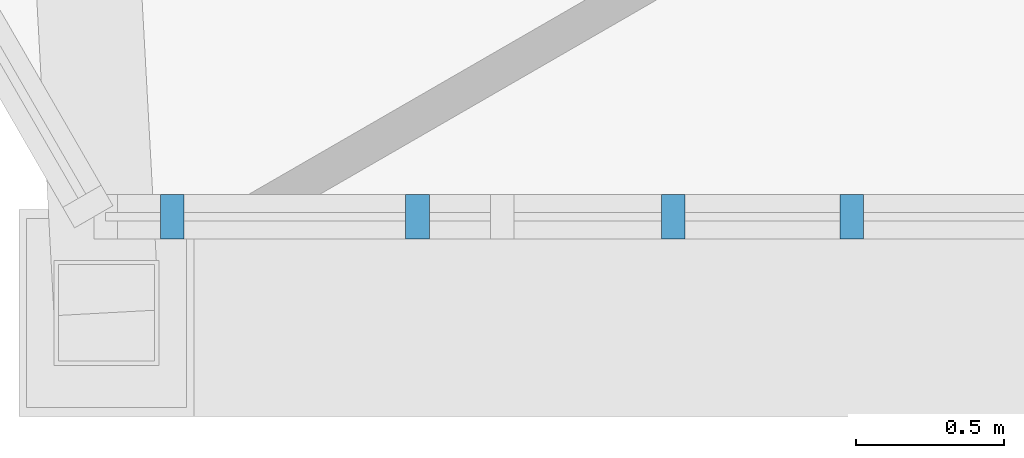
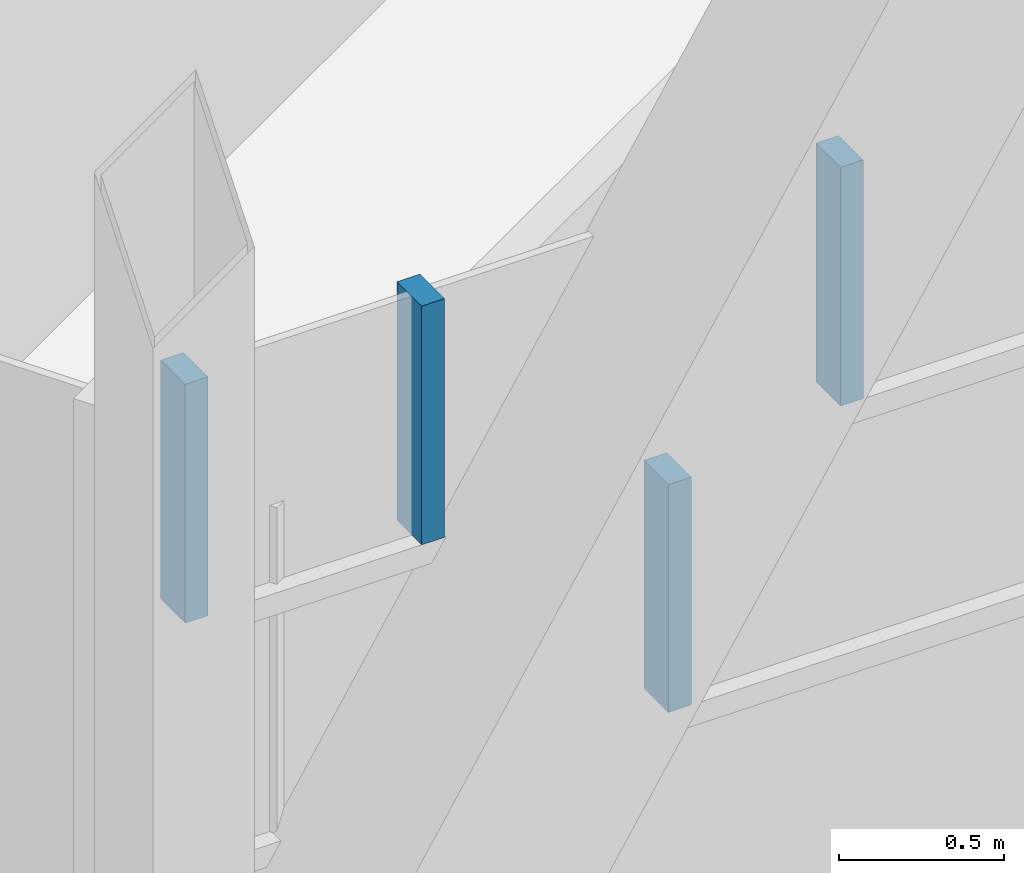
# One storey, part 12 of 25: 4 members, 1 element without a shape of its own.
"""IFC4 building model written with IfcOpenShell, lengths in metres."""

from ifc_helpers import new_model, si_unit, direction, frame, origin, origin_2d, place, context, subcontext, project, spatial, rectangle, extrude, material, layer, layer_set, material_profile, profile_set, type_object, element, aggregate, save


model = new_model("IFC4")

# Units and contexts
model_context = context("Model", 3, precision=1e-05, world=origin(), true_north=direction((0.0, 1.0)))
body_context = subcontext(model_context, "Body", "Model", "MODEL_VIEW")
ifc_project = project(units=[si_unit("LENGTHUNIT", "METRE"), si_unit("AREAUNIT", "SQUARE_METRE"), si_unit("VOLUMEUNIT", "CUBIC_METRE"), si_unit("PLANEANGLEUNIT", "RADIAN"), si_unit("MASSUNIT", "GRAM", prefix="KILO")], contexts=[model_context])

# Site, building, storey
site_placement = place(None, origin())
site = spatial("IfcSite", under=ifc_project, at=site_placement, CompositionType="ELEMENT")
building_placement = place(site_placement, origin())
building = spatial("IfcBuilding", under=site, at=building_placement, Name="Firuza Gate Tower and Library", CompositionType="ELEMENT")
storey_placement = place(building_placement, frame((0.0, 0.0, 270.60009765625)))
storey = spatial("IfcBuildingStorey", under=building, at=storey_placement, Name="L64", CompositionType="ELEMENT", Elevation=270.60009765625)

# Curtain wall, members
ifc_material_1 = material(Name="Aluminium 6063-T6", Category="aluminium")
ifc_layer = layer(ifc_material_1, 0.14990234375)
ifc_layer_set = layer_set([ifc_layer], Name="Unitised curtain wall, residences")
curtain_wall_type = type_object("IfcCurtainWallType", Name="Unitised curtain wall, residences", PredefinedType="NOTDEFINED", material=ifc_layer_set)
curtain_wall_placement = place(storey_placement, origin())
curtain_wall = element("IfcCurtainWall", 1, at=curtain_wall_placement, inside=storey, type_object=curtain_wall_type, Name="CW3 L64 S face", PredefinedType="NOTDEFINED")
ifc_material_2 = material(Name="Aluminium 6063-T6", Category="aluminium")
ifc_material_profile = material_profile(ifc_material_2, rectangle(XDim=0.14990234375, YDim=0.080078125, at=origin_2d()))
ifc_profile_set = profile_set([ifc_material_profile], Name="Aluminium 6063-T6")
member_type = type_object("IfcMemberType", Name="Curtain wall mullion 80x150", PredefinedType="MULLION", material=ifc_profile_set)
member_1_placement = place(storey_placement, frame((53.939208984375, 57.501220703125, 1.489990234375), z_axis=(0.0, 0.0, 1.0), x_axis=(0.0, 1.0, 0.0)))
member_1 = element("IfcMember", 2, at=member_1_placement, type_object=member_type, Name="Mullion", PredefinedType="MULLION", context=body_context, shape_type="SweptSolid", body=[
    extrude(rectangle(XDim=0.14990234375, YDim=0.080078125, at=origin_2d()), origin(), (0.0, 0.0, 1.0), 0.844970703125),
])
member_2_placement = place(storey_placement, frame((52.244140625, 57.501220703125, 2.414794921875), z_axis=(0.0, 0.0, 1.0), x_axis=(0.0, 1.0, 0.0)))
member_2 = element("IfcMember", 3, at=member_2_placement, type_object=member_type, Name="Mullion", PredefinedType="MULLION", context=body_context, shape_type="SweptSolid", body=[
    extrude(rectangle(XDim=0.14990234375, YDim=0.080078125, at=origin_2d()), origin(), (0.0, 0.0, 1.0), 0.885009765625),
])
member_3_placement = place(storey_placement, frame((53.073486328125, 57.501220703125, 2.414794921875), z_axis=(0.0, 0.0, 1.0), x_axis=(0.0, 1.0, 0.0)))
member_3 = element("IfcMember", 4, at=member_3_placement, type_object=member_type, Name="Mullion", PredefinedType="MULLION", context=body_context, shape_type="SweptSolid", body=[
    extrude(rectangle(XDim=0.14990234375, YDim=0.080078125, at=origin_2d()), origin(), (0.0, 0.0, 1.0), 0.885009765625),
])
member_4_placement = place(storey_placement, frame((54.54248046875, 57.501220703125, 2.414794921875), z_axis=(0.0, 0.0, 1.0), x_axis=(0.0, 1.0, 0.0)))
member_4 = element("IfcMember", 5, at=member_4_placement, type_object=member_type, Name="Mullion", PredefinedType="MULLION", context=body_context, shape_type="SweptSolid", body=[
    extrude(rectangle(XDim=0.14990234375, YDim=0.080078125, at=origin_2d()), origin(), (0.0, 0.0, 1.0), 0.885009765625),
])
aggregate(curtain_wall, [member_1, member_2, member_3, member_4])

save(model, "model.ifc")
